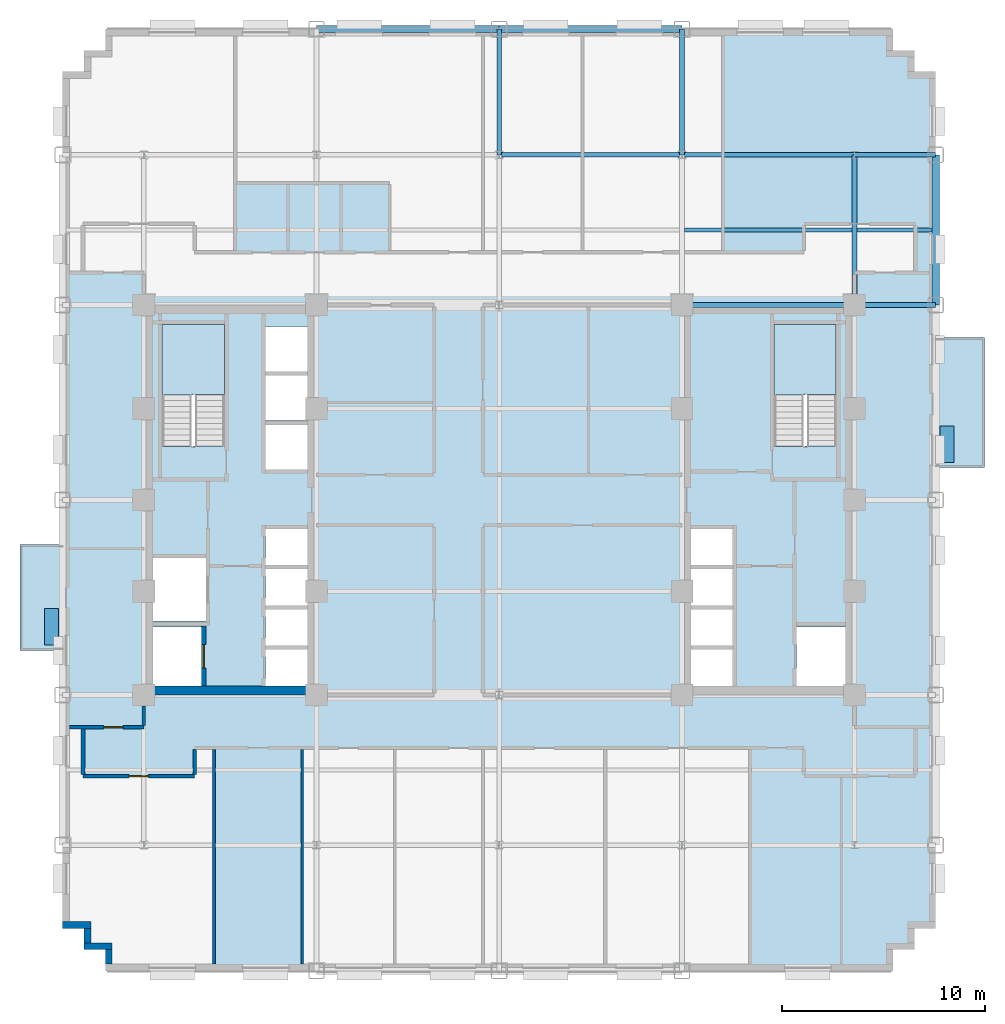
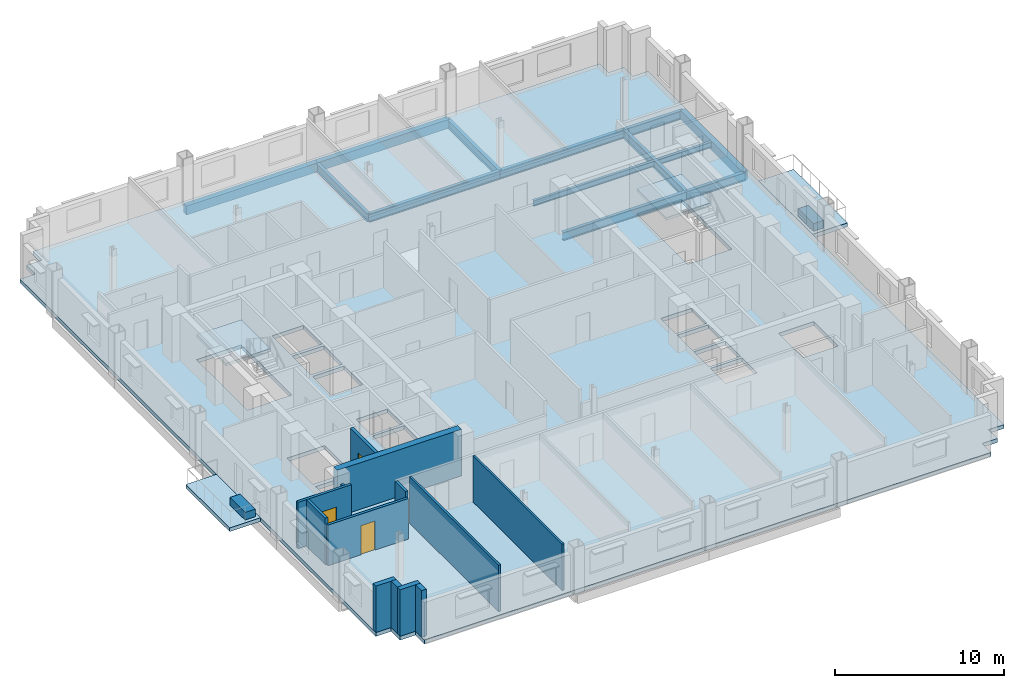
# One storey, part 5 of 14: 13 beams, 13 walls, 5 slabs, 3 doors, 2 plates, 3 openings, 2 elements without a shape of their own.
"""IFC4 building model written with IfcOpenShell, lengths in metres."""

from ifc_helpers import new_model, si_unit, direction, frame, frame_2d, origin, origin_2d, place, context, subcontext, project, spatial, polyline, rectangle, i_section, outline, extrude, source, transform, mapped, material, layer, layer_set, material_profile, profile_set, type_object, type_shapes, element, fill, aggregate, save


model = new_model("IFC4")

# Units and contexts
model_context = context("Model", 3, precision=1e-05, world=origin(), true_north=direction((0.0, 1.0)))
body_context = subcontext(model_context, "Body", "Model", "MODEL_VIEW")
ifc_project = project(units=[si_unit("LENGTHUNIT", "METRE"), si_unit("AREAUNIT", "SQUARE_METRE"), si_unit("VOLUMEUNIT", "CUBIC_METRE"), si_unit("PLANEANGLEUNIT", "RADIAN"), si_unit("MASSUNIT", "GRAM", prefix="KILO")], contexts=[model_context])

# Site, building, storey
site_placement = place(None, origin())
site = spatial("IfcSite", under=ifc_project, at=site_placement, CompositionType="ELEMENT")
building_placement = place(site_placement, origin())
building = spatial("IfcBuilding", under=site, at=building_placement, Name="Nuvemarco Arch Tower", CompositionType="ELEMENT")
storey_placement = place(building_placement, frame((0.0, 0.0, 75.050048828125)))
storey = spatial("IfcBuildingStorey", under=building, at=storey_placement, Name="L19", CompositionType="ELEMENT", Elevation=75.050048828125)

# Beams
ifc_material_1 = material(Name="Steel S355", Category="steel")
ifc_material_profile_1 = material_profile(ifc_material_1, i_section(OverallWidth=0.22998046875, OverallDepth=0.616943359375, WebThickness=0.01318359375, FlangeThickness=0.022216796875, FilletRadius=0.01611328125, at=origin_2d()), Name="W610x140")
ifc_profile_set_1 = profile_set([ifc_material_profile_1], Name="Steel S355")
beam_type_1 = type_object("IfcBeamType", Name="BM-GIRD-610", PredefinedType="BEAM", material=ifc_profile_set_1)
for number, where, z_axis, x_axis, name in (
    (1, (0.0, 17.0, -0.588623046875), (0.0, 1.0, 0.0), (-1.0, 0.0, 0.0), "L19 structural beam BGNS_L19_0_+0.0_+17.0"),
    (2, (9.0, 17.0, -0.588623046875), (0.0, 1.0, 0.0), (-1.0, 0.0, 0.0), "L19 structural beam BGNS_L19_0_+9.0_+17.0"),
):
    element("IfcBeam", number, at=place(storey_placement, frame(where, z_axis=z_axis, x_axis=x_axis)), inside=storey, type_object=beam_type_1, Name=name, PredefinedType="BEAM", context=body_context, shape_type="SweptSolid", body=[
        extrude(i_section(OverallWidth=0.22998046875, OverallDepth=0.616943359375, WebThickness=0.01318359375, FlangeThickness=0.022216796875, FilletRadius=0.01611328125, at=origin_2d()), origin(), (0.0, 0.0, 1.0), 6.199951171875),
    ])
beam_1_placement = place(storey_placement, frame((17.5, 9.60009765625, -0.588623046875), z_axis=(0.0, 1.0, 0.0), x_axis=(-1.0, 0.0, 0.0)))
element("IfcBeam", 3, at=beam_1_placement, inside=storey, type_object=beam_type_1, Name="L19 structural beam BGNS_L19_0_+17.5_+9.6", PredefinedType="BEAM", context=body_context, shape_type="SweptSolid", body=[
    extrude(i_section(OverallWidth=0.22998046875, OverallDepth=0.616943359375, WebThickness=0.01318359375, FlangeThickness=0.022216796875, FilletRadius=0.01611328125, at=origin_2d()), origin(), (0.0, 0.0, 1.0), 7.39990234375),
])
beam_2_placement = place(storey_placement, frame((9.0, 9.60009765625, -0.588623046875), z_axis=(1.0, 0.0, 0.0), x_axis=(0.0, 1.0, 0.0)))
element("IfcBeam", 4, at=beam_2_placement, inside=storey, type_object=beam_type_1, Name="L19 structural beam BGEW_L19_0_+9.6_+9.0", PredefinedType="BEAM", context=body_context, shape_type="SweptSolid", body=[
    extrude(i_section(OverallWidth=0.22998046875, OverallDepth=0.616943359375, WebThickness=0.01318359375, FlangeThickness=0.022216796875, FilletRadius=0.01611328125, at=origin_2d()), origin(), (0.0, 0.0, 1.0), 8.5),
])
beam_3_placement = place(storey_placement, frame((17.5, 9.60009765625, -0.588623046875), z_axis=(1.0, 0.0, 0.0), x_axis=(0.0, 1.0, 0.0)))
element("IfcBeam", 5, at=beam_3_placement, inside=storey, type_object=beam_type_1, Name="L19 structural beam BGEW_L19_0_+9.6_+17.5", PredefinedType="BEAM", context=body_context, shape_type="SweptSolid", body=[
    extrude(i_section(OverallWidth=0.22998046875, OverallDepth=0.616943359375, WebThickness=0.01318359375, FlangeThickness=0.022216796875, FilletRadius=0.01611328125, at=origin_2d()), origin(), (0.0, 0.0, 1.0), 4.0),
])
beam_4_placement = place(storey_placement, frame((0.0, 17.0, -0.588623046875), z_axis=(1.0, 0.0, 0.0), x_axis=(0.0, 1.0, 0.0)))
element("IfcBeam", 6, at=beam_4_placement, inside=storey, type_object=beam_type_1, Name="L19 structural beam BGEW_L19_0_+17.0_+0.0", PredefinedType="BEAM", context=body_context, shape_type="SweptSolid", body=[
    extrude(i_section(OverallWidth=0.22998046875, OverallDepth=0.616943359375, WebThickness=0.01318359375, FlangeThickness=0.022216796875, FilletRadius=0.01611328125, at=origin_2d()), origin(), (0.0, 0.0, 1.0), 9.0),
])
beam_5_placement = place(storey_placement, frame((9.0, 17.0, -0.588623046875), z_axis=(1.0, 0.0, 0.0), x_axis=(0.0, 1.0, 0.0)))
element("IfcBeam", 7, at=beam_5_placement, inside=storey, type_object=beam_type_1, Name="L19 structural beam BGEW_L19_0_+17.0_+9.0", PredefinedType="BEAM", context=body_context, shape_type="SweptSolid", body=[
    extrude(i_section(OverallWidth=0.22998046875, OverallDepth=0.616943359375, WebThickness=0.01318359375, FlangeThickness=0.022216796875, FilletRadius=0.01611328125, at=origin_2d()), origin(), (0.0, 0.0, 1.0), 8.5),
])
beam_6_placement = place(storey_placement, frame((17.5, 17.0, -0.588623046875), z_axis=(1.0, 0.0, 0.0), x_axis=(0.0, 1.0, 0.0)))
element("IfcBeam", 8, at=beam_6_placement, inside=storey, type_object=beam_type_1, Name="L19 structural beam BGEW_L19_0_+17.0_+17.5", PredefinedType="BEAM", context=body_context, shape_type="SweptSolid", body=[
    extrude(i_section(OverallWidth=0.22998046875, OverallDepth=0.616943359375, WebThickness=0.01318359375, FlangeThickness=0.022216796875, FilletRadius=0.01611328125, at=origin_2d()), origin(), (0.0, 0.0, 1.0), 4.0),
])
ifc_material_profile_2 = material_profile(ifc_material_1, i_section(OverallWidth=0.179931640625, OverallDepth=0.4130859375, WebThickness=0.009765625, FlangeThickness=0.01611328125, FilletRadius=0.014892578125, at=origin_2d()), Name="W410x75")
ifc_profile_set_2 = profile_set([ifc_material_profile_2], Name="Steel S355")
beam_type_2 = type_object("IfcBeamType", Name="BM-JOIST-410", PredefinedType="JOIST", material=ifc_profile_set_2)
beam_7_placement = place(storey_placement, frame((9.114990234375, 13.300048828125, -0.486572265625), z_axis=(1.0, 0.0, 0.0), x_axis=(0.0, 1.0, 0.0)))
element("IfcBeam", 9, at=beam_7_placement, inside=storey, type_object=beam_type_2, Name="L19 structural beam BJ_L19_0_+13.3_+9.0", PredefinedType="JOIST", context=body_context, shape_type="SweptSolid", body=[
    extrude(i_section(OverallWidth=0.179931640625, OverallDepth=0.4130859375, WebThickness=0.009765625, FlangeThickness=0.01611328125, FilletRadius=0.014892578125, at=origin_2d()), origin(), (0.0, 0.0, 1.0), 8.27001953125),
])
beam_8_placement = place(storey_placement, frame((17.614990234375, 13.300048828125, -0.486572265625), z_axis=(1.0, 0.0, 0.0), x_axis=(0.0, 1.0, 0.0)))
element("IfcBeam", 10, at=beam_8_placement, inside=storey, type_object=beam_type_2, Name="L19 structural beam BJ_L19_0_+13.3_+17.5", PredefinedType="JOIST", context=body_context, shape_type="SweptSolid", body=[
    extrude(i_section(OverallWidth=0.179931640625, OverallDepth=0.4130859375, WebThickness=0.009765625, FlangeThickness=0.01611328125, FilletRadius=0.014892578125, at=origin_2d()), origin(), (0.0, 0.0, 1.0), 3.7099609375),
])
ifc_material_2 = material(Name="Precast concrete C45/55", Category="concrete")
ifc_material_profile_3 = material_profile(ifc_material_2, rectangle(XDim=0.35009765625, YDim=0.64990234375, at=origin_2d()), Name="PC-SP-350x650")
ifc_profile_set_3 = profile_set([ifc_material_profile_3], Name="Precast concrete C45/55")
beam_type_3 = type_object("IfcBeamType", Name="BM-SPAN-RC", PredefinedType="SPANDREL", material=ifc_profile_set_3)
beam_9_placement = place(storey_placement, frame((21.5, 9.60009765625, -0.60498046875), z_axis=(0.0, 1.0, 0.0), x_axis=(-1.0, 0.0, 0.0)))
element("IfcBeam", 11, at=beam_9_placement, inside=storey, type_object=beam_type_3, Name="L19 structural beam BGNS_L19_0_+21.5_+9.6", PredefinedType="SPANDREL", context=body_context, shape_type="SweptSolid", body=[
    extrude(rectangle(XDim=0.35009765625, YDim=0.64990234375, at=origin_2d()), origin(), (0.0, 0.0, 1.0), 7.39990234375),
])
for number, where, z_axis, x_axis, name in (
    (12, (-9.0, 23.199951171875, -0.60498046875), (1.0, 0.0, 0.0), (0.0, 1.0, 0.0), "L19 structural beam BGEW_L19_0_+23.2_-9.0"),
    (13, (0.0, 23.199951171875, -0.60498046875), (1.0, 0.0, 0.0), (0.0, 1.0, 0.0), "L19 structural beam BGEW_L19_0_+23.2_+0.0"),
):
    element("IfcBeam", number, at=place(storey_placement, frame(where, z_axis=z_axis, x_axis=x_axis)), inside=storey, type_object=beam_type_3, Name=name, PredefinedType="SPANDREL", context=body_context, shape_type="SweptSolid", body=[
        extrude(rectangle(XDim=0.35009765625, YDim=0.64990234375, at=origin_2d()), origin(), (0.0, 0.0, 1.0), 9.0),
    ])

# Slab
ifc_material_3 = material(Name="Concrete C50/60", Category="concrete")
ifc_layer_1 = layer(ifc_material_3, 0.280029296875, Name="SL-FLR-280")
ifc_layer_set_1 = layer_set([ifc_layer_1], Name="Concrete C50/60")
slab_type_1 = type_object("IfcSlabType", Name="SL-FLR-280", PredefinedType="FLOOR", material=ifc_layer_set_1)
slab_1_placement = place(storey_placement, frame((0.0, 0.0, -0.280029296875)))
element("IfcSlab", 14, at=slab_1_placement, inside=storey, type_object=slab_type_1, Name="L19 structural floor slab", PredefinedType="FLOOR", context=body_context, shape_type="SweptSolid", body=[
    extrude(outline(polyline([(-19.39990234375, -23.199951171875), (19.39990234375, -23.199951171875), (19.39990234375, -22.14990234375), (20.449951171875, -22.14990234375), (20.449951171875, -21.10009765625), (21.5, -21.10009765625), (21.5, 21.10009765625), (20.449951171875, 21.10009765625), (20.449951171875, 22.14990234375), (19.39990234375, 22.14990234375), (19.39990234375, 23.199951171875), (-19.39990234375, 23.199951171875), (-19.39990234375, 22.14990234375), (-20.449951171875, 22.14990234375), (-20.449951171875, 21.10009765625), (-21.5, 21.10009765625), (-21.5, -21.10009765625), (-20.449951171875, -21.10009765625), (-20.449951171875, -22.14990234375), (-19.39990234375, -22.14990234375), (-19.39990234375, -23.199951171875)]), holes=[polyline([(-13.5400390625, 2.669921875), (-13.5400390625, 8.64990234375), (-16.60009765625, 8.64990234375), (-16.60009765625, 2.630615234375), (-15.070068359375, 2.630615234375), (-15.070068359375, 2.669921875), (-13.5400390625, 2.669921875)]), polyline([(16.60009765625, 2.669921875), (16.60009765625, 8.64990234375), (13.5400390625, 8.64990234375), (13.5400390625, 2.630615234375), (15.070068359375, 2.630615234375), (15.070068359375, 2.669921875), (16.60009765625, 2.669921875)]), polyline([(-17.050048828125, -9.14990234375), (-14.64990234375, -9.14990234375), (-14.64990234375, -6.25), (-17.050048828125, -6.25), (-17.050048828125, -9.14990234375)]), polyline([(-17.050048828125, -5.949951171875), (-14.449951171875, -5.949951171875), (-14.449951171875, -2.85009765625), (-17.050048828125, -2.85009765625), (-17.050048828125, -5.949951171875)]), polyline([(-11.5, -9.14990234375), (-9.35009765625, -9.14990234375), (-9.35009765625, -7.3701171875), (-11.5, -7.3701171875), (-11.5, -9.14990234375)]), polyline([(-11.5, -7.169921875), (-9.35009765625, -7.169921875), (-9.35009765625, -5.389892578125), (-11.5, -5.389892578125), (-11.5, -7.169921875)]), polyline([(-11.5, -5.18994140625), (-9.35009765625, -5.18994140625), (-9.35009765625, -3.409912109375), (-11.5, -3.409912109375), (-11.5, -5.18994140625)]), polyline([(-11.5, -3.2099609375), (-9.35009765625, -3.2099609375), (-9.35009765625, -1.429931640625), (-11.5, -1.429931640625), (-11.5, -3.2099609375)]), polyline([(-11.5, 1.5), (-9.35009765625, 1.5), (-9.35009765625, 3.699951171875), (-11.5, 3.699951171875), (-11.5, 1.5)]), polyline([(-11.5, 3.919921875), (-9.35009765625, 3.919921875), (-9.35009765625, 6.1201171875), (-11.5, 6.1201171875), (-11.5, 3.919921875)]), polyline([(-11.5, 6.340087890625), (-9.35009765625, 6.340087890625), (-9.35009765625, 8.5400390625), (-11.5, 8.5400390625), (-11.5, 6.340087890625)]), polyline([(14.64990234375, -9.14990234375), (17.050048828125, -9.14990234375), (17.050048828125, -6.25), (14.64990234375, -6.25), (14.64990234375, -9.14990234375)]), polyline([(9.35009765625, -9.14990234375), (11.5, -9.14990234375), (11.5, -7.3701171875), (9.35009765625, -7.3701171875), (9.35009765625, -9.14990234375)]), polyline([(9.35009765625, -7.169921875), (11.5, -7.169921875), (11.5, -5.389892578125), (9.35009765625, -5.389892578125), (9.35009765625, -7.169921875)]), polyline([(9.35009765625, -5.18994140625), (11.5, -5.18994140625), (11.5, -3.409912109375), (9.35009765625, -3.409912109375), (9.35009765625, -5.18994140625)]), polyline([(9.35009765625, -3.2099609375), (11.5, -3.2099609375), (11.5, -1.429931640625), (9.35009765625, -1.429931640625), (9.35009765625, -3.2099609375)])]), origin(), (0.0, 0.0, 1.0), 0.280029296875),
])

# Stair, slab
stair_type = type_object("IfcStairType", Name="ST-CORE-20R", PredefinedType="HALF_TURN_STAIR", material=ifc_material_2)
stair_1_placement = place(storey_placement, origin())
stair_1 = element("IfcStair", 15, at=stair_1_placement, inside=storey, type_object=stair_type, Name="L19 Protected Exit Stair ST-1", PredefinedType="HALF_TURN_STAIR")
ifc_layer_2 = layer(ifc_material_2, 0.199951171875, Name="SL-LANDING-200")
ifc_layer_set_2 = layer_set([ifc_layer_2], Name="Precast concrete C45/55")
slab_type_2 = type_object("IfcSlabType", Name="SL-LANDING-200", PredefinedType="LANDING", material=ifc_layer_set_2)
slab_2_placement = place(storey_placement, frame((0.0, 0.0, 1.625)))
slab_2 = element("IfcSlab", 16, at=slab_2_placement, type_object=slab_type_2, Name="ST-20R landing 1", PredefinedType="LANDING", context=body_context, shape_type="SweptSolid", body=[
    extrude(outline(polyline([(-13.5400390625, 5.189453125), (-13.5400390625, 8.64990234375), (-16.60009765625, 8.64990234375), (-16.60009765625, 5.169921875), (-15.070068359375, 5.169921875), (-15.070068359375, 5.189453125), (-13.5400390625, 5.189453125)])), origin(), (0.0, 0.0, 1.0), 0.199951171875),
])
aggregate(stair_1, [slab_2])

stair_2_placement = place(storey_placement, origin())
stair_2 = element("IfcStair", 17, at=stair_2_placement, inside=storey, type_object=stair_type, Name="L19 Protected Exit Stair ST-2", PredefinedType="HALF_TURN_STAIR")
slab_3_placement = place(storey_placement, frame((0.0, 0.0, 1.625)))
slab_3 = element("IfcSlab", 18, at=slab_3_placement, type_object=slab_type_2, Name="ST-20R landing 1", PredefinedType="LANDING", context=body_context, shape_type="SweptSolid", body=[
    extrude(outline(polyline([(16.60009765625, 5.189453125), (16.60009765625, 8.64990234375), (13.5400390625, 8.64990234375), (13.5400390625, 5.169921875), (15.070068359375, 5.169921875), (15.070068359375, 5.189453125), (16.60009765625, 5.189453125)])), origin(), (0.0, 0.0, 1.0), 0.199951171875),
])
aggregate(stair_2, [slab_3])

# Slabs
ifc_layer_3 = layer(ifc_material_3, 0.264892578125, Name="SL-TB1")
ifc_layer_set_3 = layer_set([ifc_layer_3], Name="Concrete C50/60")
slab_type_3 = type_object("IfcSlabType", Name="SL-TB1", PredefinedType="FLOOR", material=ifc_layer_set_3)
slab_4_placement = place(storey_placement, frame((0.0, 0.0, -0.26513671875)))
element("IfcSlab", 19, at=slab_4_placement, inside=storey, type_object=slab_type_3, Name="L19 outdoor tree balcony slab 2", PredefinedType="FLOOR", context=body_context, shape_type="SweptSolid", body=[
    extrude(outline(polyline([(-23.60009765625, -7.39990234375), (-21.5, -7.39990234375), (-21.5, -2.199951171875), (-23.60009765625, -2.199951171875), (-23.60009765625, -7.39990234375)])), origin(), (0.0, 0.0, 1.0), 0.26513671875),
])
ifc_layer_4 = layer(ifc_material_3, 0.294921875, Name="SL-TR4")
ifc_layer_set_4 = layer_set([ifc_layer_4], Name="Concrete C50/60")
slab_type_4 = type_object("IfcSlabType", Name="SL-TR4", PredefinedType="FLOOR", material=ifc_layer_set_4)
slab_5_placement = place(storey_placement, frame((0.0, 0.0, -0.295166015625)))
element("IfcSlab", 20, at=slab_5_placement, inside=storey, type_object=slab_type_4, Name="L19 outdoor spiral terrace slab 1", PredefinedType="FLOOR", context=body_context, shape_type="SweptSolid", body=[
    extrude(outline(polyline([(21.5, 1.60009765625), (23.89990234375, 1.60009765625), (23.89990234375, 8.0), (21.5, 8.0), (21.5, 1.60009765625)])), origin(), (0.0, 0.0, 1.0), 0.295166015625),
])

# Plates
ifc_layer_5 = layer(ifc_material_2, 0.550048828125, Name="Tree Balcony Structural Planter")
ifc_layer_set_5 = layer_set([ifc_layer_5], Name="Precast concrete C45/55")
plate_type = type_object("IfcPlateType", Name="Tree Balcony Structural Planter", PredefinedType="USERDEFINED", material=ifc_layer_set_5)
shared_shape_1 = source(origin(), body_context, "Body", "SweptSolid", [
    extrude(rectangle(XDim=1.800048828125, YDim=0.699951171875, at=origin_2d()), origin(), (0.0, 0.0, 1.0), 0.550048828125),
])
type_shapes(plate_type, [shared_shape_1])
for number, where, z_axis, x_axis, name in (
    (21, (22.050048828125, 2.75, 0.0), (0.0, 0.0, 1.0), (0.0, 1.0, 0.0), "L19 Tree Balcony Structural Planter"),
    (22, (-22.050048828125, -6.25, 0.0), (0.0, 0.0, 1.0), (0.0, 1.0, 0.0), "L19 Tree Balcony Structural Planter"),
):
    element("IfcPlate", number, at=place(storey_placement, frame(where, z_axis=z_axis, x_axis=x_axis)), inside=storey, type_object=plate_type, Name=name, ObjectType="PLANTER", PredefinedType="USERDEFINED", context=body_context, shape_type="MappedRepresentation", body=[
        mapped(shared_shape_1, transform((0.0, 0.0, 0.0), scale=1.0)),
    ])

# Walls
ifc_layer_6 = layer(ifc_material_2, 0.340087890625, Name="EW-LOW-340")
ifc_layer_set_6 = layer_set([ifc_layer_6], Name="Precast concrete C45/55")
wall_type_1 = type_object("IfcWallType", Name="EW-LOW-340", PredefinedType="STANDARD", material=ifc_layer_set_6)
wall_1_placement = place(storey_placement, frame((-21.5, -20.929931640625, 0.0), z_axis=(0.0, 0.0, 1.0), x_axis=(1.0, 0.0, 0.0)))
element("IfcWall", 23, at=wall_1_placement, inside=storey, type_object=wall_type_1, Name="L19 exterior precast facade wall 17", PredefinedType="STANDARD", context=body_context, shape_type="SweptSolid", body=[
    extrude(rectangle(XDim=1.389892578125, YDim=0.340087890625, at=frame_2d((0.69482421875, 0.0))), origin(), (0.0, 0.0, 1.0), 3.35986328125),
])
wall_2_placement = place(storey_placement, frame((-20.280029296875, -21.81396484375, 0.0), z_axis=(0.0, 0.0, 1.0), x_axis=(0.0, 1.0, 0.0)))
element("IfcWall", 24, at=wall_2_placement, inside=storey, type_object=wall_type_1, Name="L19 exterior precast facade wall 18", PredefinedType="STANDARD", context=body_context, shape_type="SweptSolid", body=[
    extrude(rectangle(XDim=0.718017578125, YDim=0.340087890625, at=frame_2d((0.35888671875, 0.0))), origin(), (0.0, 0.0, 1.0), 3.35986328125),
])
wall_3_placement = place(storey_placement, frame((-20.449951171875, -21.97998046875, 0.0), z_axis=(0.0, 0.0, 1.0), x_axis=(1.0, 0.0, 0.0)))
element("IfcWall", 25, at=wall_3_placement, inside=storey, type_object=wall_type_1, Name="L19 exterior precast facade wall 19", PredefinedType="STANDARD", context=body_context, shape_type="SweptSolid", body=[
    extrude(rectangle(XDim=1.389892578125, YDim=0.340087890625, at=frame_2d((0.69482421875, 0.0))), origin(), (0.0, 0.0, 1.0), 3.35986328125),
])
wall_4_placement = place(storey_placement, frame((-19.22998046875, -22.864013671875, 0.0), z_axis=(0.0, 0.0, 1.0), x_axis=(0.0, 1.0, 0.0)))
element("IfcWall", 26, at=wall_4_placement, inside=storey, type_object=wall_type_1, Name="L19 exterior precast facade wall 20", PredefinedType="STANDARD", context=body_context, shape_type="SweptSolid", body=[
    extrude(rectangle(XDim=0.718017578125, YDim=0.340087890625, at=frame_2d((0.35888671875, 0.0))), origin(), (0.0, 0.0, 1.0), 3.35986328125),
])
ifc_material_4 = material(Name="Concrete C60/75", Category="concrete")
ifc_layer_7 = layer(ifc_material_4, 0.449951171875, Name="WL-CORE-450")
ifc_layer_set_7 = layer_set([ifc_layer_7], Name="Concrete C60/75")
wall_type_2 = type_object("IfcWallType", Name="WL-CORE-450", PredefinedType="SHEAR", material=ifc_layer_set_7)
wall_5_placement = place(storey_placement, frame((-17.5, -9.375, 0.0), z_axis=(0.0, 0.0, 1.0), x_axis=(1.0, 0.0, 0.0)))
element("IfcWall", 27, at=wall_5_placement, inside=storey, type_object=wall_type_2, Name="L19 W-core shear wall S", PredefinedType="SHEAR", context=body_context, shape_type="SweptSolid", body=[
    extrude(rectangle(XDim=8.5, YDim=0.449951171875, at=frame_2d((4.25, 0.0))), origin(), (0.0, 0.0, 1.0), 3.369873046875),
])

# Wall, opening, door
ifc_material_5 = material(Name="Fire-rated gypsum drywall partition")
ifc_layer_8 = layer(ifc_material_5, 0.179931640625, Name="WL-CORR-180")
ifc_layer_set_8 = layer_set([ifc_layer_8], Name="Fire-rated gypsum drywall partition")
wall_type_3 = type_object("IfcWallType", Name="WL-CORR-180", PredefinedType="PARTITIONING", material=ifc_layer_set_8)
wall_6_placement = place(storey_placement, frame((-20.5, -13.60009765625, 0.0), z_axis=(0.0, 0.0, 1.0), x_axis=(1.0, 0.0, 0.0)))
wall_6 = element("IfcWall", 28, at=wall_6_placement, inside=storey, type_object=wall_type_3, Name="L19 interior wall IW-L19-001", PredefinedType="PARTITIONING", context=body_context, shape_type="SweptSolid", body=[
    extrude(rectangle(XDim=5.5, YDim=0.179931640625, at=frame_2d((2.75, 0.0))), origin(), (0.0, 0.0, 1.0), 2.94189453125),
])
opening_1_placement = place(wall_6_placement, frame((2.27001953125, 0.0, 0.0)))
opening_1 = element("IfcOpeningElement", 29, at=opening_1_placement, cuts=wall_6, Name="Opening FD-5", PredefinedType="OPENING", context=body_context, shape_type="SweptSolid", body=[
    extrude(rectangle(XDim=0.9599609375, YDim=2.10009765625, at=frame_2d((0.47998046875, 1.050048828125))), frame((0.0, 0.099853515625, 0.0), z_axis=(0.0, -1.0, 0.0), x_axis=(1.0, 0.0, 0.0)), (0.0, 0.0, 1.0), 0.199951171875),
])
ifc_material_6 = material(Name="Timber fire door", Category="wood")
door_type_1 = type_object("IfcDoorType", Name="DR-CORR-FD", OperationType="NOTDEFINED", PredefinedType="DOOR", material=ifc_material_6)
shared_shape_2 = source(origin(), body_context, "Body", "SweptSolid", [
    extrude(rectangle(XDim=0.9599609375, YDim=2.10009765625, at=frame_2d((0.47998046875, 1.050048828125))), frame((0.0, 0.02490234375, 0.0), z_axis=(0.0, -1.0, 0.0), x_axis=(1.0, 0.0, 0.0)), (0.0, 0.0, 1.0), 0.050048828125),
])
type_shapes(door_type_1, [shared_shape_2])
door_1_placement = place(opening_1_placement, origin())
door_1 = element("IfcDoor", 30, at=door_1_placement, inside=storey, type_object=door_type_1, Name="L19 door DR-L19-S_1", OperationType="SINGLE_SWING_RIGHT", OverallHeight=2.10009765625, OverallWidth=0.9599609375, PredefinedType="DOOR", context=body_context, shape_type="MappedRepresentation", body=[
    mapped(shared_shape_2, transform((0.0, 0.0, 0.0), scale=1.0)),
])
fill(opening_1, door_1)

wall_7_placement = place(storey_placement, frame((-21.159912109375, -11.199951171875, 0.0), z_axis=(0.0, 0.0, 1.0), x_axis=(1.0, 0.0, 0.0)))
wall_7 = element("IfcWall", 31, at=wall_7_placement, inside=storey, type_object=wall_type_3, Name="L19 interior wall IW-L19-004", PredefinedType="PARTITIONING", context=body_context, shape_type="SweptSolid", body=[
    extrude(rectangle(XDim=3.659912109375, YDim=0.179931640625, at=frame_2d((1.830078125, 0.0))), origin(), (0.0, 0.0, 1.0), 3.35986328125),
])
opening_2_placement = place(wall_7_placement, frame((1.679931640625, 0.0, 0.0)))
opening_2 = element("IfcOpeningElement", 32, at=opening_2_placement, cuts=wall_7, Name="Opening FD-5", PredefinedType="OPENING", context=body_context, shape_type="SweptSolid", body=[
    extrude(rectangle(XDim=0.9599609375, YDim=2.10009765625, at=frame_2d((0.47998046875, 1.050048828125))), frame((0.0, 0.099853515625, 0.0), z_axis=(0.0, -1.0, 0.0), x_axis=(1.0, 0.0, 0.0)), (0.0, 0.0, 1.0), 0.199951171875),
])
door_2_placement = place(opening_2_placement, origin())
door_2 = element("IfcDoor", 33, at=door_2_placement, inside=storey, type_object=door_type_1, Name="L19 door DR-L19-W_1", OperationType="SINGLE_SWING_LEFT", OverallHeight=2.10009765625, OverallWidth=0.9599609375, PredefinedType="DOOR", context=body_context, shape_type="MappedRepresentation", body=[
    mapped(shared_shape_2, transform((0.0, 0.0, 0.0), scale=1.0)),
])
fill(opening_2, door_2)

# Walls
wall_8_placement = place(storey_placement, frame((-20.5, -13.513916015625, 0.0), z_axis=(0.0, 0.0, 1.0), x_axis=(0.0, 1.0, 0.0)))
element("IfcWall", 34, at=wall_8_placement, inside=storey, type_object=wall_type_3, Name="L19 interior wall IW-L19-024", PredefinedType="PARTITIONING", context=body_context, shape_type="SweptSolid", body=[
    extrude(rectangle(XDim=2.22802734375, YDim=0.179931640625, at=frame_2d((1.114013671875, 0.0))), origin(), (0.0, 0.0, 1.0), 3.35986328125),
])
wall_9_placement = place(storey_placement, frame((-17.5, -11.114013671875, 0.0), z_axis=(0.0, 0.0, 1.0), x_axis=(0.0, 1.0, 0.0)))
element("IfcWall", 35, at=wall_9_placement, inside=storey, type_object=wall_type_3, Name="L19 interior wall IW-L19-026", PredefinedType="PARTITIONING", context=body_context, shape_type="SweptSolid", body=[
    extrude(rectangle(XDim=0.968017578125, YDim=0.179931640625, at=frame_2d((0.48388671875, 0.0))), origin(), (0.0, 0.0, 1.0), 2.738037109375),
])
wall_10_placement = place(storey_placement, frame((-15.0, -13.513916015625, 0.0), z_axis=(0.0, 0.0, 1.0), x_axis=(0.0, 1.0, 0.0)))
element("IfcWall", 36, at=wall_10_placement, inside=storey, type_object=wall_type_3, Name="L19 interior wall IW-L19-028", PredefinedType="PARTITIONING", context=body_context, shape_type="SweptSolid", body=[
    extrude(rectangle(XDim=1.22802734375, YDim=0.179931640625, at=frame_2d((0.614013671875, 0.0))), origin(), (0.0, 0.0, 1.0), 3.35986328125),
])
ifc_material_7 = material(Name="Glazed acoustic office partition")
ifc_layer_9 = layer(ifc_material_7, 0.1298828125, Name="WL-EXEC-130")
ifc_layer_set_9 = layer_set([ifc_layer_9], Name="Glazed acoustic office partition")
wall_type_4 = type_object("IfcWallType", Name="WL-EXEC-130", PredefinedType="PARTITIONING", material=ifc_layer_set_9)
wall_11_placement = place(storey_placement, frame((-9.699951171875, -22.860107421875, 0.0), z_axis=(0.0, 0.0, 1.0), x_axis=(0.0, 1.0, 0.0)))
element("IfcWall", 37, at=wall_11_placement, inside=storey, type_object=wall_type_4, Name="L19 interior wall IW-L19-033", PredefinedType="PARTITIONING", context=body_context, shape_type="SweptSolid", body=[
    extrude(rectangle(XDim=10.57421875, YDim=0.1298828125, at=frame_2d((5.287109375, 0.0))), origin(), (0.0, 0.0, 1.0), 3.35986328125),
])
ifc_material_8 = material(Name="Gypsum plasterboard partition")
ifc_layer_10 = layer(ifc_material_8, 0.139892578125, Name="WL-ROOM-140")
ifc_layer_set_10 = layer_set([ifc_layer_10], Name="Gypsum plasterboard partition")
wall_type_5 = type_object("IfcWallType", Name="WL-ROOM-140", PredefinedType="PARTITIONING", material=ifc_layer_set_10)
wall_12_placement = place(storey_placement, frame((-14.050048828125, -22.860107421875, 0.0), z_axis=(0.0, 0.0, 1.0), x_axis=(0.0, 1.0, 0.0)))
element("IfcWall", 38, at=wall_12_placement, inside=storey, type_object=wall_type_5, Name="L19 interior wall IW-L19-030", PredefinedType="PARTITIONING", context=body_context, shape_type="SweptSolid", body=[
    extrude(rectangle(XDim=10.57421875, YDim=0.139892578125, at=frame_2d((5.287109375, 0.0))), origin(), (0.0, 0.0, 1.0), 3.35986328125),
])

# Wall, opening, door
ifc_layer_11 = layer(ifc_material_3, 0.199951171875, Name="WL-SHAFT-220")
ifc_layer_set_11 = layer_set([ifc_layer_11], Name="Concrete C50/60")
wall_type_6 = type_object("IfcWallType", Name="WL-SHAFT-220", PredefinedType="SHEAR", material=ifc_layer_set_11)
wall_13_placement = place(storey_placement, frame((-14.550048828125, -9.155029296875, 0.0), z_axis=(0.0, 0.0, 1.0), x_axis=(0.0, 1.0, 0.0)))
wall_13 = element("IfcWall", 39, at=wall_13_placement, inside=storey, type_object=wall_type_6, Name="L19 structural shaft wall SW-L19-W-SHE", PredefinedType="SHEAR", context=body_context, shape_type="SweptSolid", body=[
    extrude(rectangle(XDim=2.9599609375, YDim=0.199951171875, at=frame_2d((1.47998046875, 0.0))), origin(), (0.0, 0.0, 1.0), 3.369873046875),
])
opening_3_placement = place(wall_13_placement, frame((0.8798828125, 0.0, 0.0)))
opening_3 = element("IfcOpeningElement", 40, at=opening_3_placement, cuts=wall_13, Name="Opening LD-2", PredefinedType="OPENING", context=body_context, shape_type="SweptSolid", body=[
    extrude(rectangle(XDim=1.14990234375, YDim=2.14990234375, at=frame_2d((0.574951171875, 1.074951171875))), frame((0.0, 0.10986328125, 0.0), z_axis=(0.0, -1.0, 0.0), x_axis=(1.0, 0.0, 0.0)), (0.0, 0.0, 1.0), 0.219970703125),
])
ifc_material_9 = material(Name="Stainless steel lift door", Category="steel")
door_type_2 = type_object("IfcDoorType", Name="DR-LIFT-FIRE", OperationType="DOUBLE_DOOR_SLIDING", PredefinedType="DOOR", material=ifc_material_9)
shared_shape_3 = source(origin(), body_context, "Body", "SweptSolid", [
    extrude(rectangle(XDim=1.14990234375, YDim=2.14990234375, at=frame_2d((0.574951171875, 1.074951171875))), frame((0.0, 0.02490234375, 0.0), z_axis=(0.0, -1.0, 0.0), x_axis=(1.0, 0.0, 0.0)), (0.0, 0.0, 1.0), 0.050048828125),
])
type_shapes(door_type_2, [shared_shape_3])
door_3_placement = place(opening_3_placement, origin())
door_3 = element("IfcDoor", 41, at=door_3_placement, inside=storey, type_object=door_type_2, Name="L19 Lift landing sliding door FFL-1", OperationType="DOUBLE_DOOR_SLIDING", OverallHeight=2.14990234375, OverallWidth=1.14990234375, PredefinedType="DOOR", context=body_context, shape_type="MappedRepresentation", body=[
    mapped(shared_shape_3, transform((0.0, 0.0, 0.0), scale=1.0)),
])
fill(opening_3, door_3)

save(model, "model.ifc")
